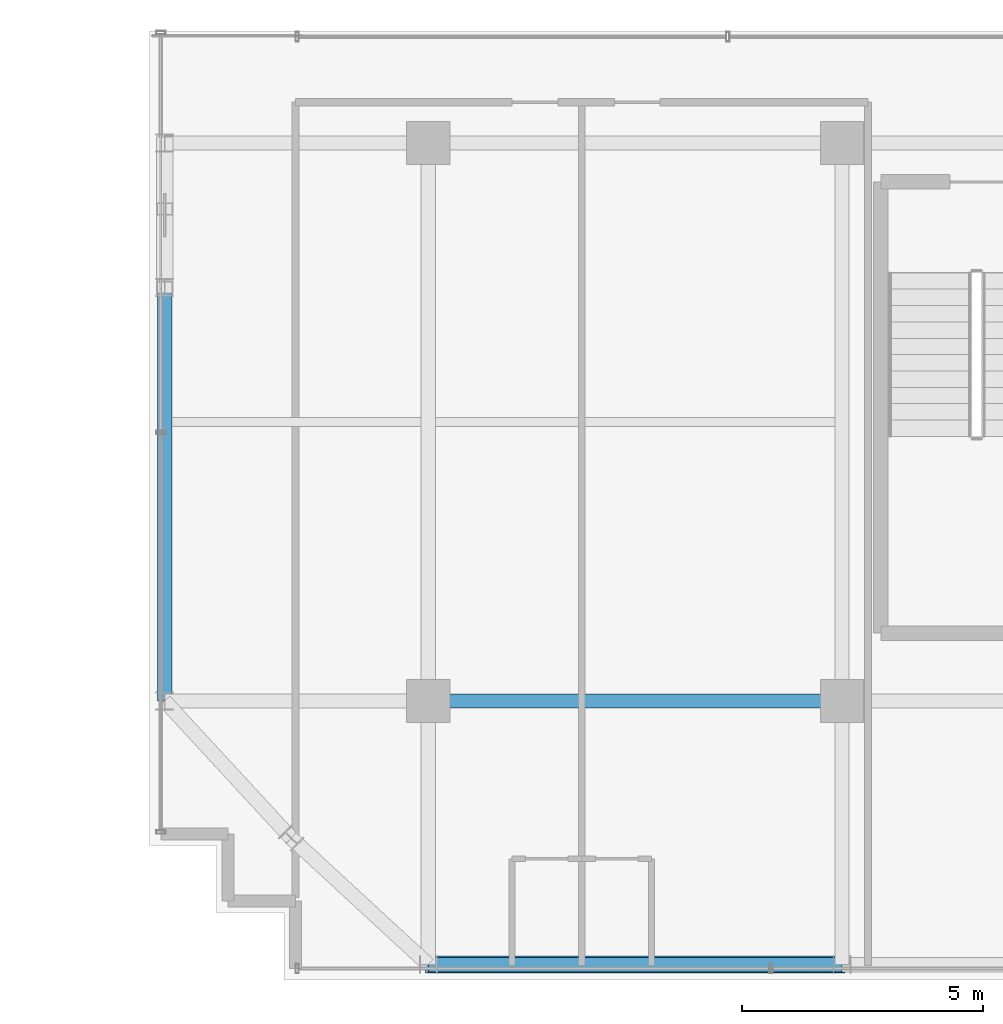
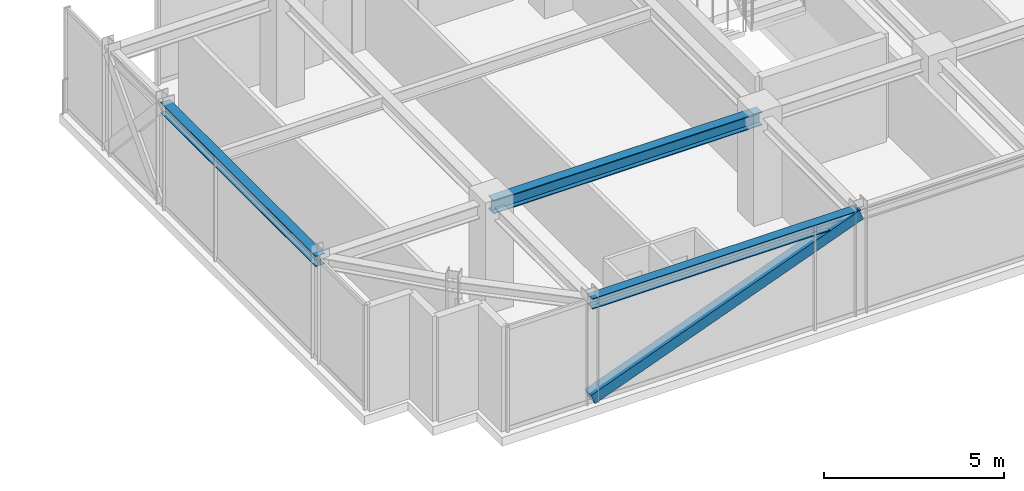
# One storey, part 5 of 40: 3 beams, 1 member.
"""IFC4 building model written with IfcOpenShell, lengths in metres."""

import ifcopenshell
import ifcopenshell.guid

model = None  # the IFC model being written
_history = None  # IfcOwnerHistory: only IFC2X3 demands one
_inside = {}  # id of a spatial element -> (the spatial element, [elements in it])
_under = {}  # id of a project, library or spatial element -> (it, [spatial elements below it])
_declared = {}  # id of a project -> (the project, [libraries it declares])
_typed = {}  # id of a type object -> (the type object, [elements of that type])
_made_of = {}  # id of a material, layer set ... -> (it, [elements and type objects made of it])


def new_model(schema):
    """Start an empty IFC model of exactly this schema.

    Asked for "IFC4X3", IfcOpenShell would pick the latest addendum, in which some entities
    have other attributes; the version numbers below select the first issue.
    IFC2X3 requires an IfcOwnerHistory on every rooted entity: one is made here for all.
    """
    global model, _history
    if schema == "IFC4X3":
        model = ifcopenshell.file(schema_version=(4, 3, 0, 0))
    else:
        model = ifcopenshell.file(schema=schema)
    _inside.clear()
    _under.clear()
    _declared.clear()
    _typed.clear()
    _made_of.clear()
    _history = None
    if model.schema == "IFC2X3":
        org = make("IfcOrganization", Name="unknown")
        user = make(
            "IfcPersonAndOrganization",
            ThePerson=make("IfcPerson", FamilyName="unknown"),
            TheOrganization=org,
        )
        app = make(
            "IfcApplication",
            ApplicationDeveloper=org,
            Version="unknown",
            ApplicationFullName="unknown",
            ApplicationIdentifier="unknown",
        )
        _history = make(
            "IfcOwnerHistory",
            OwningUser=user,
            OwningApplication=app,
            ChangeAction="ADDED",
            CreationDate=0,
        )
    return model


def make(cls, **values):
    """One entity of the class cls with the attributes given. An attribute that is None is left unset."""
    return model.create_entity(
        cls, **{name: value for name, value in values.items() if value is not None}
    )


def rooted(cls, **values):
    """An entity with a GlobalId (a new one), such as an element, a storey or a relation."""
    return make(cls, GlobalId=ifcopenshell.guid.new(), OwnerHistory=_history, **values)


def si_unit(unit_type, name, prefix=None):
    """IfcSIUnit, for example si_unit("LENGTHUNIT", "METRE", prefix="MILLI")."""
    return make("IfcSIUnit", UnitType=unit_type, Prefix=prefix, Name=name)


def assignment(units):
    """IfcUnitAssignment: the units of a project."""
    return None if units is None else make("IfcUnitAssignment", Units=units)


def point(xyz):
    """IfcCartesianPoint."""
    return None if xyz is None else make("IfcCartesianPoint", Coordinates=xyz)


def direction(xyz):
    """IfcDirection."""
    return None if xyz is None else make("IfcDirection", DirectionRatios=xyz)


def frame(location, z_axis=None, x_axis=None):
    """IfcAxis2Placement3D, a coordinate frame: its origin and axes. An axis left out is left unset."""
    return make(
        "IfcAxis2Placement3D",
        Location=point(location),
        Axis=direction(z_axis),
        RefDirection=direction(x_axis),
    )


def frame_2d(location, x_axis=None):
    """IfcAxis2Placement2D, a coordinate frame in the plane: its origin and x axis."""
    return make(
        "IfcAxis2Placement2D", Location=point(location), RefDirection=direction(x_axis)
    )


def origin():
    """The frame at (0, 0, 0) with its axes left unset."""
    return frame((0.0, 0.0, 0.0))


def origin_2d():
    """The frame at (0, 0) in the plane with its x axis left unset."""
    return frame_2d((0.0, 0.0))


def place(relative_to, where):
    """IfcLocalPlacement: puts the frame where relative to a parent placement (None: the world)."""
    return make(
        "IfcLocalPlacement", PlacementRelTo=relative_to, RelativePlacement=where
    )


def context(
    kind, dimensions, precision=None, world=None, true_north=None, identifier=None
):
    """IfcGeometricRepresentationContext, for example the 3D "Model" context."""
    return make(
        "IfcGeometricRepresentationContext",
        ContextIdentifier=identifier,
        ContextType=kind,
        CoordinateSpaceDimension=dimensions,
        Precision=precision,
        WorldCoordinateSystem=world,
        TrueNorth=true_north,
    )


def subcontext(parent, identifier, kind, view, scale=None):
    """IfcGeometricRepresentationSubContext, for example "Body" below "Model"."""
    return make(
        "IfcGeometricRepresentationSubContext",
        ContextIdentifier=identifier,
        ContextType=kind,
        ParentContext=parent,
        TargetScale=scale,
        TargetView=view,
    )


def project(units=None, contexts=None):
    """IfcProject with its units and contexts."""
    return rooted(
        "IfcProject",
        Name="project",
        RepresentationContexts=contexts,
        UnitsInContext=assignment(units),
    )


def spatial(cls, under=None, at=None, **own):
    """A site, building, storey or space (cls), placed at a placement, below another one or the project."""
    s = rooted(cls, ObjectPlacement=at, **own)
    if under is not None:
        _under.setdefault(under.id(), (under, []))[1].append(s)
    return s


def profile(cls, at=None, kind="AREA", **sizes):
    """A parametric profile (cls). Its sizes go by their IFC names, for example OverallWidth=200.0."""
    return make(cls, ProfileType=kind, Position=at, **sizes)


def hollow_rectangle(**sizes):
    """IfcRectangleHollowProfileDef."""
    return profile("IfcRectangleHollowProfileDef", **sizes)


def i_section(**sizes):
    """IfcIShapeProfileDef."""
    return profile("IfcIShapeProfileDef", **sizes)


def extrude(swept, where, along, depth):
    """IfcExtrudedAreaSolid: the profile swept, set in the frame where, extruded along a direction by depth."""
    return make(
        "IfcExtrudedAreaSolid",
        SweptArea=swept,
        Position=where,
        ExtrudedDirection=direction(along),
        Depth=depth,
    )


def shape(context_of_items, identifier, shape_type, items):
    """IfcShapeRepresentation: the items that make up one representation, for example the "Body"."""
    return make(
        "IfcShapeRepresentation",
        ContextOfItems=context_of_items,
        RepresentationIdentifier=identifier,
        RepresentationType=shape_type,
        Items=items,
    )


def source(mapping_origin, context_of_items, identifier, shape_type, items):
    """IfcRepresentationMap: a shape defined once, which mapped items show again and again."""
    return make(
        "IfcRepresentationMap",
        MappingOrigin=mapping_origin,
        MappedRepresentation=shape(context_of_items, identifier, shape_type, items),
    )


def transform(
    local_origin,
    x_axis=None,
    y_axis=None,
    z_axis=None,
    scale=None,
    scale2=None,
    scale3=None,
    uniform=True,
):
    """IfcCartesianTransformationOperator3D, or its non-uniform kind. x_axis, y_axis, z_axis: its Axis1, 2, 3."""
    if uniform:
        return make(
            "IfcCartesianTransformationOperator3D",
            Axis1=direction(x_axis),
            Axis2=direction(y_axis),
            LocalOrigin=point(local_origin),
            Scale=scale,
            Axis3=direction(z_axis),
        )
    return make(
        "IfcCartesianTransformationOperator3DnonUniform",
        Axis1=direction(x_axis),
        Axis2=direction(y_axis),
        LocalOrigin=point(local_origin),
        Scale=scale,
        Axis3=direction(z_axis),
        Scale2=scale2,
        Scale3=scale3,
    )


def mapped(mapping_source, mapping_target):
    """IfcMappedItem: shows the shape of a source again, moved by a transform."""
    return make(
        "IfcMappedItem", MappingSource=mapping_source, MappingTarget=mapping_target
    )


def material(Name=None, Category=None):
    """IfcMaterial."""
    return make("IfcMaterial", Name=Name, Category=Category)


def material_profile(
    of_material, cross_section, Name=None, Category=None, Priority=None
):
    """IfcMaterialProfile: a cross section and its material."""
    return make(
        "IfcMaterialProfile",
        Name=Name,
        Material=of_material,
        Profile=cross_section,
        Priority=Priority,
        Category=Category,
    )


def profile_set(profiles, Name=None, composite=None):
    """IfcMaterialProfileSet."""
    return make(
        "IfcMaterialProfileSet",
        Name=Name,
        MaterialProfiles=profiles,
        CompositeProfile=composite,
    )


def made_of(thing, what):
    """Note that an element or type object is made of a material, layer set ...; save() writes the relation."""
    if what is not None:
        _made_of.setdefault(what.id(), (what, []))[1].append(thing)
    return thing


def type_object(cls, material=None, **own):
    """A type object (cls), such as IfcWallType, which elements share."""
    return made_of(rooted(cls, **own), material)


def element(
    cls,
    number,
    at=None,
    inside=None,
    cuts=None,
    type_object=None,
    material=None,
    context=None,
    identifier="Body",
    shape_type=None,
    held_by="IfcProductDefinitionShape",
    body=None,
    shapes=None,
    **own,
):
    """One element of the class cls, such as IfcWall. Its Tag is "e" and its number.

    at: its placement. inside: the storey or other place that contains it. cuts: it is an
    opening in that element (IfcRelVoidsElement). A single representation is given by context,
    identifier, shape_type and body (its items); several are given by shapes. held_by: the class
    of the entity that holds the representations. save() writes the other relations.
    """
    e = rooted(cls, Tag="e%d" % number, ObjectPlacement=at, **own)
    if body is not None:
        shapes = [shape(context, identifier, shape_type, body)]
    if shapes is not None:
        e.Representation = make(held_by, Representations=shapes)
    if inside is not None:
        _inside.setdefault(inside.id(), (inside, []))[1].append(e)
    if cuts is not None:
        rooted(
            "IfcRelVoidsElement", RelatingBuildingElement=cuts, RelatedOpeningElement=e
        )
    if type_object is not None:
        _typed.setdefault(type_object.id(), (type_object, []))[1].append(e)
    return made_of(e, material)


def aggregate(whole, parts):
    """IfcRelAggregates: a whole, such as a stair, and the parts it consists of."""
    return rooted("IfcRelAggregates", RelatingObject=whole, RelatedObjects=parts)


def save(model, path):
    """Write the relations noted so far, then the file.

    IfcRelAggregates (storeys below a building ...), IfcRelContainedInSpatialStructure (elements
    in a storey), IfcRelDefinesByType, IfcRelAssociatesMaterial and IfcRelDeclares: one each for
    every whole, place, type object, material and project.
    """
    for whole, parts in _under.values():
        aggregate(whole, parts)
    for where, things in _inside.values():
        rooted(
            "IfcRelContainedInSpatialStructure",
            RelatedElements=things,
            RelatingStructure=where,
        )
    for kind, things in _typed.values():
        rooted("IfcRelDefinesByType", RelatedObjects=things, RelatingType=kind)
    for what, things in _made_of.values():
        rooted("IfcRelAssociatesMaterial", RelatedObjects=things, RelatingMaterial=what)
    for by, libraries in _declared.values():
        rooted("IfcRelDeclares", RelatingContext=by, RelatedDefinitions=libraries)
    model.write(path)


model = new_model("IFC4")

# Units and contexts
model_context = context("Model", 3, precision=1e-05, world=origin(), true_north=direction((0.0, 1.0)))
body_context = subcontext(model_context, "Body", "Model", "MODEL_VIEW")
ifc_project = project(units=[si_unit("LENGTHUNIT", "METRE"), si_unit("AREAUNIT", "SQUARE_METRE"), si_unit("VOLUMEUNIT", "CUBIC_METRE"), si_unit("PLANEANGLEUNIT", "RADIAN"), si_unit("MASSUNIT", "GRAM", prefix="KILO")], contexts=[model_context])

# Site, building, storey
site_placement = place(None, origin())
site = spatial("IfcSite", under=ifc_project, at=site_placement, CompositionType="ELEMENT")
building_placement = place(site_placement, origin())
building = spatial("IfcBuilding", under=site, at=building_placement, Name="Nahalor Promenade Grand Hotel", CompositionType="ELEMENT")
storey_placement = place(building_placement, frame((0.0, 0.0, 288.800048828125)))
storey = spatial("IfcBuildingStorey", under=building, at=storey_placement, Name="L74", CompositionType="ELEMENT", Elevation=288.800048828125)

# Beams
ifc_material = material(Name="Steel S355JR", Category="steel")
ifc_material_profile_1 = material_profile(ifc_material, i_section(OverallWidth=0.3, OverallDepth=0.45, WebThickness=0.014, FlangeThickness=0.026, at=origin_2d()), Name="HEB 450")
ifc_profile_set_1 = profile_set([ifc_material_profile_1], Name="Steel S355JR")
beam_type_1 = type_object("IfcBeamType", Name="Beam-Girder-HEB450", PredefinedType="BEAM", material=ifc_profile_set_1)
shared_shape_1 = source(origin(), body_context, "Body", "SweptSolid", [
    extrude(i_section(OverallWidth=0.3, OverallDepth=0.45, WebThickness=0.014, FlangeThickness=0.026, at=origin_2d()), origin(), (0.0, 0.0, 1.0), 8.60009765625),
])
beam_placement = place(storey_placement, frame((-17.0, -17.0, 3.324951171875), z_axis=(1.0, 0.0, 0.0), x_axis=(0.0, 1.0, 0.0)))
element("IfcBeam", 1, at=beam_placement, inside=storey, type_object=beam_type_1, Name="BM-L74-GX-0-1", PredefinedType="BEAM", context=body_context, shape_type="MappedRepresentation", body=[
    mapped(shared_shape_1, transform((0.0, 0.0, 0.0), scale=1.0)),
])
ifc_material_profile_2 = material_profile(ifc_material, i_section(OverallWidth=0.3, OverallDepth=0.36, WebThickness=0.0125, FlangeThickness=0.0225, at=origin_2d()), Name="HEB 360")
ifc_profile_set_2 = profile_set([ifc_material_profile_2], Name="Steel S355JR")
beam_type_2 = type_object("IfcBeamType", Name="Beam-Spandrel-HEB360", PredefinedType="SPANDREL", material=ifc_profile_set_2)
shared_shape_2 = source(origin(), body_context, "Body", "SweptSolid", [
    extrude(i_section(OverallWidth=0.3, OverallDepth=0.36, WebThickness=0.0125, FlangeThickness=0.0225, at=origin_2d()), origin(), (0.0, 0.0, 1.0), 8.60009765625),
])
for number, where, z_axis, x_axis, name in (
    (2, (-17.0, -22.47998046875, 3.369873046875), (1.0, 0.0, 0.0), (0.0, 1.0, 0.0), "BM-L74-SP-S-0"),
    (3, (-22.47998046875, -17.0, 3.369873046875), (0.0, 1.0, 0.0), (-1.0, 0.0, 0.0), "BM-L74-SP-W-0"),
):
    element("IfcBeam", number, at=place(storey_placement, frame(where, z_axis=z_axis, x_axis=x_axis)), inside=storey, type_object=beam_type_2, Name=name, PredefinedType="SPANDREL", context=body_context, shape_type="MappedRepresentation", body=[
        mapped(shared_shape_2, transform((0.0, 0.0, 0.0), scale=1.0)),
    ])

# Member
ifc_material_profile_3 = material_profile(ifc_material, hollow_rectangle(XDim=0.35, YDim=0.35, WallThickness=0.02, at=origin_2d()), Name="SHS 350x350x20")
ifc_profile_set_3 = profile_set([ifc_material_profile_3], Name="Steel S355JR")
member_type = type_object("IfcMemberType", Name="Mem-VoidBrace-SHS350", PredefinedType="BRACE", material=ifc_profile_set_3)
shared_shape_3 = source(origin(), body_context, "Body", "SweptSolid", [
    extrude(hollow_rectangle(XDim=0.35, YDim=0.35, WallThickness=0.02, at=origin_2d()), origin(), (0.0, 0.0, 1.0), 9.193603515625),
])
member_placement = place(storey_placement, frame((-17.0, -22.47998046875, 0.14990234375), z_axis=(0.935433460247, 0.0, 0.353502816749), x_axis=(0.0, 1.0, 0.0)))
element("IfcMember", 4, at=member_placement, inside=storey, type_object=member_type, Name="EXO-L74-S-0", PredefinedType="BRACE", context=body_context, shape_type="MappedRepresentation", body=[
    mapped(shared_shape_3, transform((0.0, 0.0, 0.0), scale=1.0)),
])

save(model, "model.ifc")
